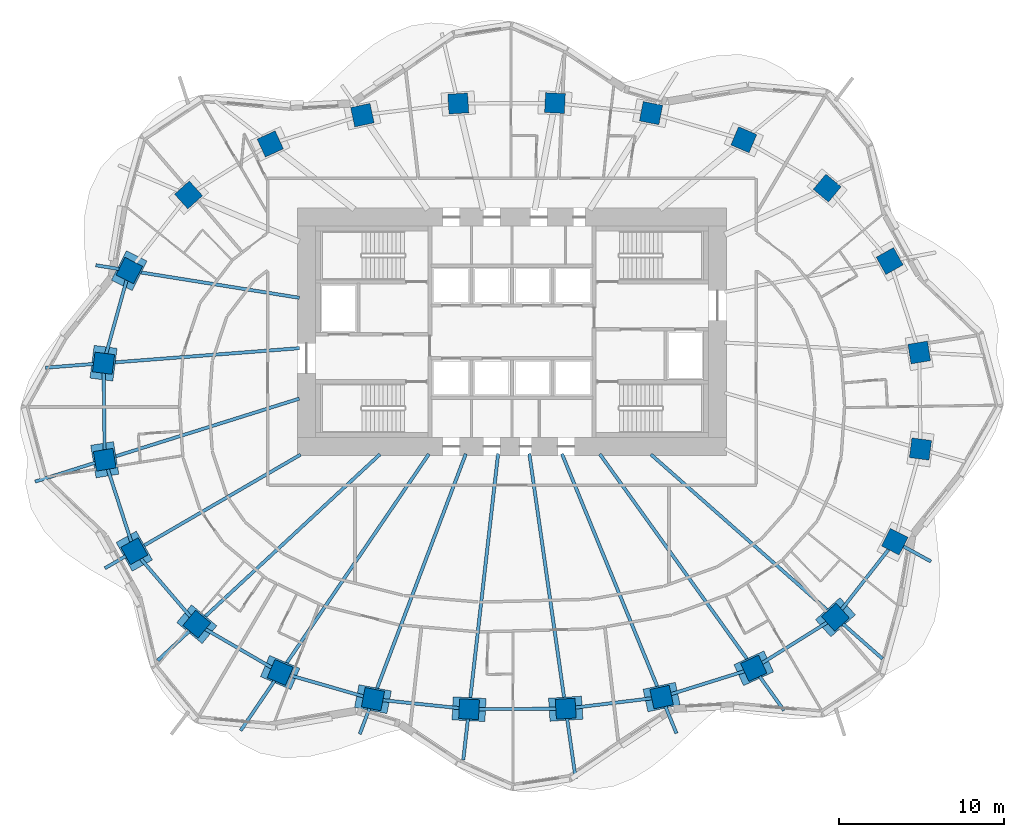
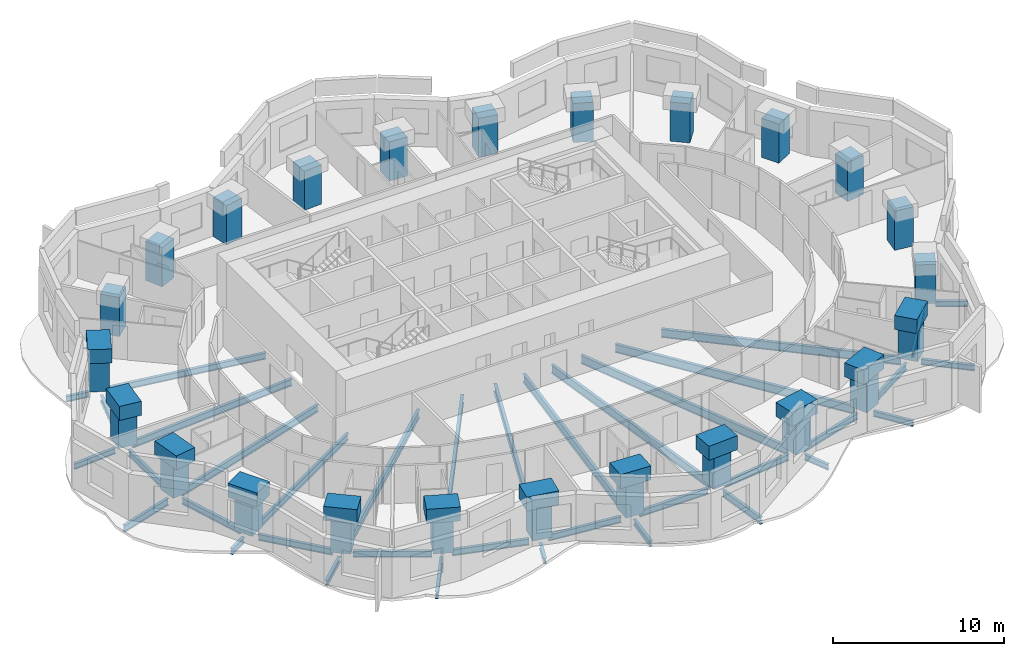
# One storey, part 1 of 12: 49 beams, 24 columns.
"""IFC4 building model written with IfcOpenShell, lengths in metres."""

from ifc_helpers import new_model, si_unit, direction, frame, origin, origin_2d, place, context, subcontext, project, spatial, rectangle, i_section, extrude, material, material_profile, profile_set, type_object, element, save


model = new_model("IFC4")

# Units and contexts
model_context = context("Model", 3, precision=1e-05, world=origin(), true_north=direction((0.0, 1.0)))
body_context = subcontext(model_context, "Body", "Model", "MODEL_VIEW")
ifc_project = project(units=[si_unit("LENGTHUNIT", "METRE"), si_unit("AREAUNIT", "SQUARE_METRE"), si_unit("VOLUMEUNIT", "CUBIC_METRE"), si_unit("PLANEANGLEUNIT", "RADIAN"), si_unit("MASSUNIT", "GRAM", prefix="KILO")], contexts=[model_context])

# Site, building, storey
site_placement = place(None, origin())
site = spatial("IfcSite", under=ifc_project, at=site_placement, CompositionType="ELEMENT")
building_placement = place(site_placement, origin())
building = spatial("IfcBuilding", under=site, at=building_placement, Name="Rubra Terraces Tower", CompositionType="ELEMENT")
storey_placement = place(building_placement, frame((0.0, 0.0, 117.60009765625)))
storey = spatial("IfcBuildingStorey", under=building, at=storey_placement, Name="L28", CompositionType="ELEMENT", Elevation=117.60009765625)

# Columns
ifc_material_1 = material(Name="Concrete C60", Category="concrete")
ifc_material_profile_1 = material_profile(ifc_material_1, rectangle(XDim=1.199951171875, YDim=1.199951171875, at=origin_2d()), Name="RC 1200x1200")
ifc_profile_set_1 = profile_set([ifc_material_profile_1], Name="Concrete C60")
column_type = type_object("IfcColumnType", Name="RING COLUMN RC 1200x1200 C60", PredefinedType="COLUMN", material=ifc_profile_set_1)
for number, where, z_axis, x_axis, name in (
    (1, (24.6689453125, 3.248046875, 0.0), (0.0, 0.0, 1.0), (-0.161559167715, 0.986863027642, 0.0), "column-L28-ring-01"),
    (2, (22.87890625, 8.787109375, 0.0), (0.0, 0.0, 1.0), (-0.48852601316, 0.872549330678, 0.0), "column-L28-ring-02"),
    (3, (19.092041015625, 13.208984375, 0.0), (0.0, 0.0, 1.0), (-0.76886986222, 0.63940529789, 0.0), "column-L28-ring-03"),
    (4, (14.0419921875, 16.135986328125, 0.0), (0.0, 0.0, 1.0), (-0.920167856842, 0.391524092789, 0.0), "column-L28-ring-04"),
    (5, (8.422119140625, 17.7490234375, 0.0), (0.0, 0.0, 1.0), (-0.981654668733, 0.19066754143, 0.0), "column-L28-ring-05"),
    (6, (2.60205078125, 18.35791015625, 0.0), (0.0, 0.0, 1.0), (-0.998764256028, 0.049698700995, 0.0), "column-L28-ring-06"),
    (7, (-3.25390625, 18.330078125, 0.0), (0.0, 0.0, 1.0), (-0.998031548759, -0.062713855578, 0.0), "column-L28-ring-07"),
    (8, (-9.06298828125, 17.625, 0.0), (0.0, 0.0, 1.0), (-0.977652674797, -0.210226657352, 0.0), "column-L28-ring-08"),
    (9, (-14.64306640625, 15.881103515625, 0.0), (0.0, 0.0, 1.0), (-0.908778580451, -0.417278673927, 0.0), "column-L28-ring-09"),
    (10, (-19.593017578125, 12.7900390625, 0.0), (0.0, 0.0, 1.0), (-0.744021317198, -0.668155879683, 0.0), "column-L28-ring-10"),
    (11, (-23.18505859375, 8.2099609375, 0.0), (0.0, 0.0, 1.0), (-0.451027931402, -0.892509834733, 0.0), "column-L28-ring-11"),
    (12, (-24.742919921875, 2.59912109375, 0.0), (0.0, 0.0, 1.0), (-0.128443684554, -0.991716804283, 0.0), "column-L28-ring-12"),
    (13, (-24.6689453125, -3.248046875, 0.0), (0.0, 0.0, 1.0), (0.161559167715, -0.986863027642, 0.0), "column-L28-ring-13"),
    (14, (-22.87890625, -8.787109375, 0.0), (0.0, 0.0, 1.0), (0.48852601316, -0.872549330678, 0.0), "column-L28-ring-14"),
    (15, (-19.092041015625, -13.208984375, 0.0), (0.0, 0.0, 1.0), (0.76886986222, -0.63940529789, 0.0), "column-L28-ring-15"),
    (16, (-14.0419921875, -16.135986328125, 0.0), (0.0, 0.0, 1.0), (0.920167856842, -0.391524092789, 0.0), "column-L28-ring-16"),
    (17, (-8.422119140625, -17.7490234375, 0.0), (0.0, 0.0, 1.0), (0.981654668733, -0.19066754143, 0.0), "column-L28-ring-17"),
    (18, (-2.60205078125, -18.35791015625, 0.0), (0.0, 0.0, 1.0), (0.998764256028, -0.049698700995, 0.0), "column-L28-ring-18"),
    (19, (3.25390625, -18.330078125, 0.0), (0.0, 0.0, 1.0), (0.998031548759, 0.062713855578, 0.0), "column-L28-ring-19"),
    (20, (9.06298828125, -17.625, 0.0), (0.0, 0.0, 1.0), (0.977652674797, 0.210226657352, 0.0), "column-L28-ring-20"),
    (21, (14.64306640625, -15.881103515625, 0.0), (0.0, 0.0, 1.0), (0.908778580451, 0.417278673927, 0.0), "column-L28-ring-21"),
    (22, (19.593017578125, -12.7900390625, 0.0), (0.0, 0.0, 1.0), (0.744021317198, 0.668155879683, 0.0), "column-L28-ring-22"),
    (23, (23.18505859375, -8.2099609375, 0.0), (0.0, 0.0, 1.0), (0.451027931402, 0.892509834733, 0.0), "column-L28-ring-23"),
    (24, (24.742919921875, -2.59912109375, 0.0), (0.0, 0.0, 1.0), (0.128443684554, 0.991716804283, 0.0), "column-L28-ring-24"),
):
    element("IfcColumn", number, at=place(storey_placement, frame(where, z_axis=z_axis, x_axis=x_axis)), inside=storey, type_object=column_type, Name=name, PredefinedType="COLUMN", context=body_context, shape_type="SweptSolid", body=[
        extrude(rectangle(XDim=1.199951171875, YDim=1.199951171875, at=origin_2d()), origin(), (0.0, 0.0, 1.0), 2.7998046875),
    ])

# Beams
ifc_material_2 = material(Name="Steel Q355B", Category="steel")
ifc_material_profile_2 = material_profile(ifc_material_2, i_section(OverallWidth=0.199951171875, OverallDepth=0.39990234375, WebThickness=0.008056640625, FlangeThickness=0.012939453125, at=origin_2d()), Name="HN 400x200x8x13")
ifc_profile_set_2 = profile_set([ifc_material_profile_2], Name="Steel Q355B")
beam_type_1 = type_object("IfcBeamType", Name="CANTILEVER BEAM HN 400x200x8x13", PredefinedType="BEAM", material=ifc_profile_set_2)
beam_1_placement = place(storey_placement, frame((-25.35400390625, 2.552001953125, -0.400146484375), z_axis=(-0.997078655681, -0.076381636441, 0.0), x_axis=(0.076381636441, -0.997078655681, 0.0)))
element("IfcBeam", 25, at=beam_1_placement, inside=storey, type_object=beam_type_1, Name="beam-L28-cant-12", PredefinedType="BEAM", context=body_context, shape_type="SweptSolid", body=[
    extrude(i_section(OverallWidth=0.199951171875, OverallDepth=0.39990234375, WebThickness=0.008056640625, FlangeThickness=0.012939453125, at=origin_2d()), origin(), (0.0, 0.0, 1.0), 2.905517578125),
])
beam_2_placement = place(storey_placement, frame((-23.39794921875, -9.087890625, -0.400146484375), z_axis=(-0.864452977258, -0.502713686018, 0.0), x_axis=(0.502713686018, -0.864452977258, 0.0)))
element("IfcBeam", 26, at=beam_2_placement, inside=storey, type_object=beam_type_1, Name="beam-L28-cant-14", PredefinedType="BEAM", context=body_context, shape_type="SweptSolid", body=[
    extrude(i_section(OverallWidth=0.199951171875, OverallDepth=0.39990234375, WebThickness=0.008056640625, FlangeThickness=0.012939453125, at=origin_2d()), origin(), (0.0, 0.0, 1.0), 1.45654296875),
])
beam_3_placement = place(storey_placement, frame((-19.535888671875, -13.6201171875, -0.400146484375), z_axis=(-0.73298930128, -0.680240166566, 0.0), x_axis=(0.680240166566, -0.73298930128, 0.0)))
element("IfcBeam", 27, at=beam_3_placement, inside=storey, type_object=beam_type_1, Name="beam-L28-cant-15", PredefinedType="BEAM", context=body_context, shape_type="SweptSolid", body=[
    extrude(i_section(OverallWidth=0.199951171875, OverallDepth=0.39990234375, WebThickness=0.008056640625, FlangeThickness=0.012939453125, at=origin_2d()), origin(), (0.0, 0.0, 1.0), 2.61962890625),
])
beam_4_placement = place(storey_placement, frame((-8.637939453125, -18.318115234375, -0.400146484375), z_axis=(-0.353710601051, -0.935354911627, 0.0), x_axis=(0.935354911627, -0.353710601051, 0.0)))
element("IfcBeam", 28, at=beam_4_placement, inside=storey, type_object=beam_type_1, Name="beam-L28-cant-17", PredefinedType="BEAM", context=body_context, shape_type="SweptSolid", body=[
    extrude(i_section(OverallWidth=0.199951171875, OverallDepth=0.39990234375, WebThickness=0.008056640625, FlangeThickness=0.012939453125, at=origin_2d()), origin(), (0.0, 0.0, 1.0), 1.65380859375),
])
beam_5_placement = place(storey_placement, frame((-2.669921875, -18.955078125, -0.400146484375), z_axis=(-0.113039698875, -0.993590472216, 0.0), x_axis=(0.993590472216, -0.113039698875, 0.0)))
element("IfcBeam", 29, at=beam_5_placement, inside=storey, type_object=beam_type_1, Name="beam-L28-cant-18", PredefinedType="BEAM", context=body_context, shape_type="SweptSolid", body=[
    extrude(i_section(OverallWidth=0.199951171875, OverallDepth=0.39990234375, WebThickness=0.008056640625, FlangeThickness=0.012939453125, at=origin_2d()), origin(), (0.0, 0.0, 1.0), 2.48583984375),
])
beam_6_placement = place(storey_placement, frame((9.2939453125, -18.18896484375, -0.400146484375), z_axis=(0.378972607009, -0.925407890142, 0.0), x_axis=(0.925407890142, 0.378972607009, 0.0)))
element("IfcBeam", 30, at=beam_6_placement, inside=storey, type_object=beam_type_1, Name="beam-L28-cant-20", PredefinedType="BEAM", context=body_context, shape_type="SweptSolid", body=[
    extrude(i_section(OverallWidth=0.199951171875, OverallDepth=0.39990234375, WebThickness=0.008056640625, FlangeThickness=0.012939453125, at=origin_2d()), origin(), (0.0, 0.0, 1.0), 1.7626953125),
])
beam_7_placement = place(storey_placement, frame((15.0, -16.376953125, -0.400146484375), z_axis=(0.583203525361, -0.812326072465, 0.0), x_axis=(0.812326072465, 0.583203525361, 0.0)))
element("IfcBeam", 31, at=beam_7_placement, inside=storey, type_object=beam_type_1, Name="beam-L28-cant-21", PredefinedType="BEAM", context=body_context, shape_type="SweptSolid", body=[
    extrude(i_section(OverallWidth=0.199951171875, OverallDepth=0.39990234375, WebThickness=0.008056640625, FlangeThickness=0.012939453125, at=origin_2d()), origin(), (0.0, 0.0, 1.0), 2.535888671875),
])
beam_8_placement = place(storey_placement, frame((20.0458984375, -13.18994140625, -0.400146484375), z_axis=(0.749889181916, -0.661563462447, 0.0), x_axis=(0.661563462447, 0.749889181916, 0.0)))
element("IfcBeam", 32, at=beam_8_placement, inside=storey, type_object=beam_type_1, Name="beam-L28-cant-22", PredefinedType="BEAM", context=body_context, shape_type="SweptSolid", body=[
    extrude(i_section(OverallWidth=0.199951171875, OverallDepth=0.39990234375, WebThickness=0.008056640625, FlangeThickness=0.012939453125, at=origin_2d()), origin(), (0.0, 0.0, 1.0), 3.192626953125),
])
beam_9_placement = place(storey_placement, frame((23.7109375, -8.4990234375, -0.400146484375), z_axis=(0.877201976588, -0.480121539061, 0.0), x_axis=(0.480121539061, 0.877201976588, 0.0)))
element("IfcBeam", 33, at=beam_9_placement, inside=storey, type_object=beam_type_1, Name="beam-L28-cant-23", PredefinedType="BEAM", context=body_context, shape_type="SweptSolid", body=[
    extrude(i_section(OverallWidth=0.199951171875, OverallDepth=0.39990234375, WebThickness=0.008056640625, FlangeThickness=0.012939453125, at=origin_2d()), origin(), (0.0, 0.0, 1.0), 1.899169921875),
])
ifc_material_profile_3 = material_profile(ifc_material_2, i_section(OverallWidth=0.198974609375, OverallDepth=0.49609375, WebThickness=0.009033203125, FlangeThickness=0.013916015625, at=origin_2d()), Name="HN 496x199x9x14")
ifc_profile_set_3 = profile_set([ifc_material_profile_3], Name="Steel Q355B")
beam_type_2 = type_object("IfcBeamType", Name="CANTILEVER BEAM HN 496x199x9x14", PredefinedType="BEAM", material=ifc_profile_set_3)
beam_10_placement = place(storey_placement, frame((-25.2470703125, -3.429931640625, -0.447998046875), z_axis=(-0.95408838008, -0.299525229314, 0.0), x_axis=(0.299525229314, -0.95408838008, 0.0)))
element("IfcBeam", 34, at=beam_10_placement, inside=storey, type_object=beam_type_2, Name="beam-L28-cant-13", PredefinedType="BEAM", context=body_context, shape_type="SweptSolid", body=[
    extrude(i_section(OverallWidth=0.198974609375, OverallDepth=0.49609375, WebThickness=0.009033203125, FlangeThickness=0.013916015625, at=origin_2d()), origin(), (0.0, 0.0, 1.0), 3.81298828125),
])
beam_11_placement = place(storey_placement, frame((-14.385986328125, -16.64208984375, -0.447998046875), z_axis=(-0.562603065228, -0.826727156319, 0.0), x_axis=(0.826727156319, -0.562603065228, 0.0)))
element("IfcBeam", 35, at=beam_11_placement, inside=storey, type_object=beam_type_2, Name="beam-L28-cant-16", PredefinedType="BEAM", context=body_context, shape_type="SweptSolid", body=[
    extrude(i_section(OverallWidth=0.198974609375, OverallDepth=0.49609375, WebThickness=0.009033203125, FlangeThickness=0.013916015625, at=origin_2d()), origin(), (0.0, 0.0, 1.0), 3.6455078125),
])
beam_12_placement = place(storey_placement, frame((3.339111328125, -18.926025390625, -0.447998046875), z_axis=(0.140964554765, -0.990014643478, 0.0), x_axis=(0.990014643478, 0.140964554765, 0.0)))
element("IfcBeam", 36, at=beam_12_placement, inside=storey, type_object=beam_type_2, Name="beam-L28-cant-19", PredefinedType="BEAM", context=body_context, shape_type="SweptSolid", body=[
    extrude(i_section(OverallWidth=0.198974609375, OverallDepth=0.49609375, WebThickness=0.009033203125, FlangeThickness=0.013916015625, at=origin_2d()), origin(), (0.0, 0.0, 1.0), 3.66650390625),
])
ifc_material_profile_4 = material_profile(ifc_material_2, i_section(OverallWidth=0.199951171875, OverallDepth=0.39990234375, WebThickness=0.008056640625, FlangeThickness=0.012939453125, at=origin_2d()), Name="HN 400x200x8x13")
ifc_profile_set_4 = profile_set([ifc_material_profile_4], Name="Steel Q355B")
beam_type_3 = type_object("IfcBeamType", Name="CANTILEVER STUB HN 400x200x8x13", PredefinedType="BEAM", material=ifc_profile_set_4)
beam_13_placement = place(storey_placement, frame((-23.806884765625, 8.31005859375, -0.400146484375), z_axis=(-0.987508094241, 0.157568283003, 0.0), x_axis=(-0.157568283003, -0.987508094241, 0.0)))
element("IfcBeam", 37, at=beam_13_placement, inside=storey, type_object=beam_type_3, Name="beam-L28-cant-11", PredefinedType="BEAM", context=body_context, shape_type="SweptSolid", body=[
    extrude(i_section(OverallWidth=0.199951171875, OverallDepth=0.39990234375, WebThickness=0.008056640625, FlangeThickness=0.012939453125, at=origin_2d()), origin(), (0.0, 0.0, 1.0), 1.4208984375),
])
ifc_material_profile_5 = material_profile(ifc_material_2, i_section(OverallWidth=0.198974609375, OverallDepth=0.446044921875, WebThickness=0.008056640625, FlangeThickness=0.011962890625, at=origin_2d()), Name="HN 446x199x8x12")
ifc_profile_set_5 = profile_set([ifc_material_profile_5], Name="Steel Q355B")
beam_type_4 = type_object("IfcBeamType", Name="FLOOR BEAM HN 446x199x8x12", PredefinedType="BEAM", material=ifc_profile_set_5)
beam_14_placement = place(storey_placement, frame((-22.56298828125, 8.110107421875, -0.423095703125), z_axis=(0.987438611706, -0.158003126908, 0.0), x_axis=(0.158003126908, 0.987438611706, 0.0)))
element("IfcBeam", 38, at=beam_14_placement, inside=storey, type_object=beam_type_4, Name="beam-L28-floor-11", PredefinedType="BEAM", context=body_context, shape_type="SweptSolid", body=[
    extrude(i_section(OverallWidth=0.198974609375, OverallDepth=0.446044921875, WebThickness=0.008056640625, FlangeThickness=0.011962890625, at=origin_2d()), origin(), (0.0, 0.0, 1.0), 9.803955078125),
])
ifc_material_profile_6 = material_profile(ifc_material_2, i_section(OverallWidth=0.198974609375, OverallDepth=0.49609375, WebThickness=0.009033203125, FlangeThickness=0.013916015625, at=origin_2d()), Name="HN 496x199x9x14")
ifc_profile_set_6 = profile_set([ifc_material_profile_6], Name="Steel Q355B")
beam_type_5 = type_object("IfcBeamType", Name="FLOOR BEAM HN 496x199x9x14", PredefinedType="BEAM", material=ifc_profile_set_6)
beam_15_placement = place(storey_placement, frame((-24.132080078125, 2.64599609375, -0.447998046875), z_axis=(0.99706491124, 0.076560843604, 0.0), x_axis=(-0.076560843604, 0.99706491124, 0.0)))
element("IfcBeam", 39, at=beam_15_placement, inside=storey, type_object=beam_type_5, Name="beam-L28-floor-12", PredefinedType="BEAM", context=body_context, shape_type="SweptSolid", body=[
    extrude(i_section(OverallWidth=0.198974609375, OverallDepth=0.49609375, WebThickness=0.009033203125, FlangeThickness=0.013916015625, at=origin_2d()), origin(), (0.0, 0.0, 1.0), 11.285400390625),
])
beam_16_placement = place(storey_placement, frame((-24.091064453125, -3.06591796875, -0.447998046875), z_axis=(0.954061815263, 0.299609834046, 0.0), x_axis=(-0.299609834046, 0.954061815263, 0.0)))
element("IfcBeam", 40, at=beam_16_placement, inside=storey, type_object=beam_type_5, Name="beam-L28-floor-13", PredefinedType="BEAM", context=body_context, shape_type="SweptSolid", body=[
    extrude(i_section(OverallWidth=0.198974609375, OverallDepth=0.49609375, WebThickness=0.009033203125, FlangeThickness=0.013916015625, at=origin_2d()), origin(), (0.0, 0.0, 1.0), 11.74462890625),
])
beam_17_placement = place(storey_placement, frame((-22.360107421875, -8.486083984375, -0.447998046875), z_axis=(0.864729170152, 0.502238451623, 0.0), x_axis=(-0.502238451623, 0.864729170152, 0.0)))
element("IfcBeam", 41, at=beam_17_placement, inside=storey, type_object=beam_type_5, Name="beam-L28-floor-14", PredefinedType="BEAM", context=body_context, shape_type="SweptSolid", body=[
    extrude(i_section(OverallWidth=0.198974609375, OverallDepth=0.49609375, WebThickness=0.009033203125, FlangeThickness=0.013916015625, at=origin_2d()), origin(), (0.0, 0.0, 1.0), 11.04296875),
])
ifc_material_profile_7 = material_profile(ifc_material_2, i_section(OverallWidth=0.198974609375, OverallDepth=0.595947265625, WebThickness=0.010009765625, FlangeThickness=0.014892578125, at=origin_2d()), Name="HN 596x199x10x15")
ifc_profile_set_7 = profile_set([ifc_material_profile_7], Name="Steel Q355B")
beam_type_6 = type_object("IfcBeamType", Name="FLOOR BEAM HN 596x199x10x15", PredefinedType="BEAM", material=ifc_profile_set_7)
beam_18_placement = place(storey_placement, frame((-18.64794921875, -12.798095703125, -0.498046875), z_axis=(0.733104668463, 0.680115832104, 0.0), x_axis=(-0.680115832104, 0.733104668463, 0.0)))
element("IfcBeam", 42, at=beam_18_placement, inside=storey, type_object=beam_type_6, Name="beam-L28-floor-15", PredefinedType="BEAM", context=body_context, shape_type="SweptSolid", body=[
    extrude(i_section(OverallWidth=0.198974609375, OverallDepth=0.595947265625, WebThickness=0.010009765625, FlangeThickness=0.014892578125, at=origin_2d()), origin(), (0.0, 0.0, 1.0), 14.527099609375),
])
beam_19_placement = place(storey_placement, frame((-13.697998046875, -15.6298828125, -0.498046875), z_axis=(0.562593638313, 0.82673357143, 0.0), x_axis=(-0.82673357143, 0.562593638313, 0.0)))
element("IfcBeam", 43, at=beam_19_placement, inside=storey, type_object=beam_type_6, Name="beam-L28-floor-16", PredefinedType="BEAM", context=body_context, shape_type="SweptSolid", body=[
    extrude(i_section(OverallWidth=0.198974609375, OverallDepth=0.595947265625, WebThickness=0.010009765625, FlangeThickness=0.014892578125, at=origin_2d()), origin(), (0.0, 0.0, 1.0), 15.396728515625),
])
beam_20_placement = place(storey_placement, frame((-8.2060546875, -17.179931640625, -0.498046875), z_axis=(0.35395819717, 0.935261244068, 0.0), x_axis=(-0.935261244068, 0.35395819717, 0.0)))
element("IfcBeam", 44, at=beam_20_placement, inside=storey, type_object=beam_type_6, Name="beam-L28-floor-17", PredefinedType="BEAM", context=body_context, shape_type="SweptSolid", body=[
    extrude(i_section(OverallWidth=0.198974609375, OverallDepth=0.595947265625, WebThickness=0.010009765625, FlangeThickness=0.014892578125, at=origin_2d()), origin(), (0.0, 0.0, 1.0), 15.28125),
])
beam_21_placement = place(storey_placement, frame((-2.533935546875, -17.760986328125, -0.498046875), z_axis=(0.113104280783, 0.993583122677, 0.0), x_axis=(-0.993583122677, 0.113104280783, 0.0)))
element("IfcBeam", 45, at=beam_21_placement, inside=storey, type_object=beam_type_6, Name="beam-L28-floor-18", PredefinedType="BEAM", context=body_context, shape_type="SweptSolid", body=[
    extrude(i_section(OverallWidth=0.198974609375, OverallDepth=0.595947265625, WebThickness=0.010009765625, FlangeThickness=0.014892578125, at=origin_2d()), origin(), (0.0, 0.0, 1.0), 14.97607421875),
])
beam_22_placement = place(storey_placement, frame((3.1689453125, -17.73388671875, -0.498046875), z_axis=(-0.141102399867, 0.989995006428, 0.0), x_axis=(-0.989995006428, -0.141102399867, 0.0)))
element("IfcBeam", 46, at=beam_22_placement, inside=storey, type_object=beam_type_6, Name="beam-L28-floor-19", PredefinedType="BEAM", context=body_context, shape_type="SweptSolid", body=[
    extrude(i_section(OverallWidth=0.198974609375, OverallDepth=0.595947265625, WebThickness=0.010009765625, FlangeThickness=0.014892578125, at=origin_2d()), origin(), (0.0, 0.0, 1.0), 15.0029296875),
])
beam_23_placement = place(storey_placement, frame((8.83203125, -17.06103515625, -0.498046875), z_axis=(-0.379038143634, 0.925381048904, 0.0), x_axis=(-0.925381048904, -0.379038143634, 0.0)))
element("IfcBeam", 47, at=beam_23_placement, inside=storey, type_object=beam_type_6, Name="beam-L28-floor-20", PredefinedType="BEAM", context=body_context, shape_type="SweptSolid", body=[
    extrude(i_section(OverallWidth=0.198974609375, OverallDepth=0.595947265625, WebThickness=0.010009765625, FlangeThickness=0.014892578125, at=origin_2d()), origin(), (0.0, 0.0, 1.0), 15.31494140625),
])
beam_24_placement = place(storey_placement, frame((14.285888671875, -15.385009765625, -0.498046875), z_axis=(-0.583480892091, 0.812126867284, 0.0), x_axis=(-0.812126867284, -0.583480892091, 0.0)))
element("IfcBeam", 48, at=beam_24_placement, inside=storey, type_object=beam_type_6, Name="beam-L28-floor-21", PredefinedType="BEAM", context=body_context, shape_type="SweptSolid", body=[
    extrude(i_section(OverallWidth=0.198974609375, OverallDepth=0.595947265625, WebThickness=0.010009765625, FlangeThickness=0.014892578125, at=origin_2d()), origin(), (0.0, 0.0, 1.0), 15.369384765625),
])
beam_25_placement = place(storey_placement, frame((19.139892578125, -12.389892578125, -0.498046875), z_axis=(-0.749820430817, 0.661641384384, 0.0), x_axis=(-0.661641384384, -0.749820430817, 0.0)))
element("IfcBeam", 49, at=beam_25_placement, inside=storey, type_object=beam_type_6, Name="beam-L28-floor-22", PredefinedType="BEAM", context=body_context, shape_type="SweptSolid", body=[
    extrude(i_section(OverallWidth=0.198974609375, OverallDepth=0.595947265625, WebThickness=0.010009765625, FlangeThickness=0.014892578125, at=origin_2d()), origin(), (0.0, 0.0, 1.0), 14.311279296875),
])
ifc_material_profile_8 = material_profile(ifc_material_2, i_section(OverallWidth=0.198974609375, OverallDepth=0.446044921875, WebThickness=0.008056640625, FlangeThickness=0.011962890625, at=origin_2d()), Name="HN 446x199x8x12")
ifc_profile_set_8 = profile_set([ifc_material_profile_8], Name="Steel Q355B")
beam_type_7 = type_object("IfcBeamType", Name="SPANDREL BEAM HN 446x199x8x12", PredefinedType="SPANDREL", material=ifc_profile_set_8)
beam_26_placement = place(storey_placement, frame((-23.34912109375, 7.6201171875, -0.423095703125), z_axis=(-0.26752901479, -0.963549804756, 0.0), x_axis=(0.963549804756, -0.26752901479, 0.0)))
element("IfcBeam", 50, at=beam_26_placement, inside=storey, type_object=beam_type_7, Name="beam-L28-spandrel-11", PredefinedType="SPANDREL", context=body_context, shape_type="SweptSolid", body=[
    extrude(i_section(OverallWidth=0.198974609375, OverallDepth=0.446044921875, WebThickness=0.008056640625, FlangeThickness=0.011962890625, at=origin_2d()), origin(), (0.0, 0.0, 1.0), 4.60498046875),
])
beam_27_placement = place(storey_placement, frame((-24.735107421875, 1.992919921875, -0.423095703125), z_axis=(0.012537869063, -0.999921397831, 0.0), x_axis=(0.999921397831, 0.012537869063, 0.0)))
element("IfcBeam", 51, at=beam_27_placement, inside=storey, type_object=beam_type_7, Name="beam-L28-spandrel-12", PredefinedType="SPANDREL", context=body_context, shape_type="SweptSolid", body=[
    extrude(i_section(OverallWidth=0.198974609375, OverallDepth=0.446044921875, WebThickness=0.008056640625, FlangeThickness=0.011962890625, at=origin_2d()), origin(), (0.0, 0.0, 1.0), 4.63427734375),
])
beam_28_placement = place(storey_placement, frame((-24.48193359375, -3.824951171875, -0.423095703125), z_axis=(0.307414966872, -0.951575555667, 0.0), x_axis=(0.951575555667, 0.307414966872, 0.0)))
element("IfcBeam", 52, at=beam_28_placement, inside=storey, type_object=beam_type_7, Name="beam-L28-spandrel-13", PredefinedType="SPANDREL", context=body_context, shape_type="SweptSolid", body=[
    extrude(i_section(OverallWidth=0.198974609375, OverallDepth=0.446044921875, WebThickness=0.008056640625, FlangeThickness=0.011962890625, at=origin_2d()), origin(), (0.0, 0.0, 1.0), 4.60302734375),
])
beam_29_placement = place(storey_placement, frame((-22.48095703125, -9.251953125, -0.423095703125), z_axis=(0.650428637413, -0.759567368726, 0.0), x_axis=(0.759567368726, 0.650428637413, 0.0)))
element("IfcBeam", 53, at=beam_29_placement, inside=storey, type_object=beam_type_7, Name="beam-L28-spandrel-14", PredefinedType="SPANDREL", context=body_context, shape_type="SweptSolid", body=[
    extrude(i_section(OverallWidth=0.198974609375, OverallDepth=0.446044921875, WebThickness=0.008056640625, FlangeThickness=0.011962890625, at=origin_2d()), origin(), (0.0, 0.0, 1.0), 4.6015625),
])
beam_30_placement = place(storey_placement, frame((-18.56494140625, -13.513916015625, -0.423095703125), z_axis=(0.865116425734, -0.501571101565, 0.0), x_axis=(0.501571101565, 0.865116425734, 0.0)))
element("IfcBeam", 54, at=beam_30_placement, inside=storey, type_object=beam_type_7, Name="beam-L28-spandrel-15", PredefinedType="SPANDREL", context=body_context, shape_type="SweptSolid", body=[
    extrude(i_section(OverallWidth=0.198974609375, OverallDepth=0.446044921875, WebThickness=0.008056640625, FlangeThickness=0.011962890625, at=origin_2d()), origin(), (0.0, 0.0, 1.0), 4.62353515625),
])
beam_31_placement = place(storey_placement, frame((-13.4609375, -16.302978515625, -0.423095703125), z_axis=(0.961195652649, -0.275867572085, 0.0), x_axis=(0.275867572085, 0.961195652649, 0.0)))
element("IfcBeam", 55, at=beam_31_placement, inside=storey, type_object=beam_type_7, Name="beam-L28-spandrel-16", PredefinedType="SPANDREL", context=body_context, shape_type="SweptSolid", body=[
    extrude(i_section(OverallWidth=0.198974609375, OverallDepth=0.446044921875, WebThickness=0.008056640625, FlangeThickness=0.011962890625, at=origin_2d()), origin(), (0.0, 0.0, 1.0), 4.639892578125),
])
beam_32_placement = place(storey_placement, frame((-7.822998046875, -17.81201171875, -0.423095703125), z_axis=(0.994588599148, -0.103891859374, 0.0), x_axis=(0.103891859374, 0.994588599148, 0.0)))
element("IfcBeam", 56, at=beam_32_placement, inside=storey, type_object=beam_type_7, Name="beam-L28-spandrel-17", PredefinedType="SPANDREL", context=body_context, shape_type="SweptSolid", body=[
    extrude(i_section(OverallWidth=0.198974609375, OverallDepth=0.446044921875, WebThickness=0.008056640625, FlangeThickness=0.011962890625, at=origin_2d()), origin(), (0.0, 0.0, 1.0), 4.648193359375),
])
beam_33_placement = place(storey_placement, frame((-2.0009765625, -18.35498046875, -0.423095703125), z_axis=(0.99998885538, 0.004721135025, 0.0), x_axis=(-0.004721135025, 0.99998885538, 0.0)))
element("IfcBeam", 57, at=beam_33_placement, inside=storey, type_object=beam_type_7, Name="beam-L28-spandrel-18", PredefinedType="SPANDREL", context=body_context, shape_type="SweptSolid", body=[
    extrude(i_section(OverallWidth=0.198974609375, OverallDepth=0.446044921875, WebThickness=0.008056640625, FlangeThickness=0.011962890625, at=origin_2d()), origin(), (0.0, 0.0, 1.0), 4.654052734375),
])
beam_34_placement = place(storey_placement, frame((3.85107421875, -18.258056640625, -0.423095703125), z_axis=(0.992713612833, 0.120497646851, 0.0), x_axis=(-0.120497646851, 0.992713612833, 0.0)))
element("IfcBeam", 58, at=beam_34_placement, inside=storey, type_object=beam_type_7, Name="beam-L28-spandrel-19", PredefinedType="SPANDREL", context=body_context, shape_type="SweptSolid", body=[
    extrude(i_section(OverallWidth=0.198974609375, OverallDepth=0.446044921875, WebThickness=0.008056640625, FlangeThickness=0.011962890625, at=origin_2d()), origin(), (0.0, 0.0, 1.0), 4.64794921875),
])
beam_35_placement = place(storey_placement, frame((9.637939453125, -17.445068359375, -0.423095703125), z_axis=(0.954462184919, 0.298331925142, 0.0), x_axis=(-0.298331925142, 0.954462184919, 0.0)))
element("IfcBeam", 59, at=beam_35_placement, inside=storey, type_object=beam_type_7, Name="beam-L28-spandrel-20", PredefinedType="SPANDREL", context=body_context, shape_type="SweptSolid", body=[
    extrude(i_section(OverallWidth=0.198974609375, OverallDepth=0.446044921875, WebThickness=0.008056640625, FlangeThickness=0.011962890625, at=origin_2d()), origin(), (0.0, 0.0, 1.0), 4.63916015625),
])
beam_36_placement = place(storey_placement, frame((15.156005859375, -15.56103515625, -0.423095703125), z_axis=(0.848188188849, 0.529695003089, 0.0), x_axis=(-0.529695003089, 0.848188188849, 0.0)))
element("IfcBeam", 60, at=beam_36_placement, inside=storey, type_object=beam_type_7, Name="beam-L28-spandrel-21", PredefinedType="SPANDREL", context=body_context, shape_type="SweptSolid", body=[
    extrude(i_section(OverallWidth=0.198974609375, OverallDepth=0.446044921875, WebThickness=0.008056640625, FlangeThickness=0.011962890625, at=origin_2d()), origin(), (0.0, 0.0, 1.0), 4.62158203125),
])
beam_37_placement = place(storey_placement, frame((19.968994140625, -12.31103515625, -0.423095703125), z_axis=(0.61694919408, 0.787002980886, 0.0), x_axis=(-0.787002980886, 0.61694919408, 0.0)))
element("IfcBeam", 61, at=beam_37_placement, inside=storey, type_object=beam_type_7, Name="beam-L28-spandrel-22", PredefinedType="SPANDREL", context=body_context, shape_type="SweptSolid", body=[
    extrude(i_section(OverallWidth=0.198974609375, OverallDepth=0.446044921875, WebThickness=0.008056640625, FlangeThickness=0.011962890625, at=origin_2d()), origin(), (0.0, 0.0, 1.0), 4.599853515625),
])
ifc_material_profile_9 = material_profile(ifc_material_1, rectangle(XDim=1.39990234375, YDim=1.0, at=origin_2d()), Name="RC 1400x1000")
ifc_profile_set_9 = profile_set([ifc_material_profile_9], Name="Concrete C60")
beam_type_8 = type_object("IfcBeamType", Name="TRANSFER NODE RC 1400x1000 C60", PredefinedType="BEAM", material=ifc_profile_set_9)
beam_38_placement = place(storey_placement, frame((-22.73388671875, 9.10302734375, 2.7998046875), z_axis=(-0.450821401525, -0.892614174169, 0.0), x_axis=(0.892614174169, -0.450821401525, 0.0)))
element("IfcBeam", 62, at=beam_38_placement, inside=storey, type_object=beam_type_8, Name="node-L29-lo-11", PredefinedType="BEAM", context=body_context, shape_type="SweptSolid", body=[
    extrude(rectangle(XDim=1.39990234375, YDim=1.0, at=origin_2d()), origin(), (0.0, 0.0, 1.0), 2.0009765625),
])
for number, where, z_axis, x_axis, name in (
    (63, (-24.614990234375, 3.591064453125, 2.7998046875), (-0.128013930839, -0.991772369806, 0.0), (0.991772369806, -0.128013930839, 0.0), "node-L29-lo-12"),
    (64, (-24.8310546875, -2.260986328125, 2.7998046875), (0.161944523779, -0.986799863811, 0.0), (0.986799863811, 0.161944523779, 0.0), "node-L29-lo-13"),
):
    element("IfcBeam", number, at=place(storey_placement, frame(where, z_axis=z_axis, x_axis=x_axis)), inside=storey, type_object=beam_type_8, Name=name, PredefinedType="BEAM", context=body_context, shape_type="SweptSolid", body=[
        extrude(rectangle(XDim=1.39990234375, YDim=1.0, at=origin_2d()), origin(), (0.0, 0.0, 1.0), 2.00048828125),
    ])
beam_39_placement = place(storey_placement, frame((-23.367919921875, -7.9140625, 2.7998046875), z_axis=(0.488737103931, -0.872431110886, 0.0), x_axis=(0.872431110886, 0.488737103931, 0.0)))
element("IfcBeam", 65, at=beam_39_placement, inside=storey, type_object=beam_type_8, Name="node-L29-lo-14", PredefinedType="BEAM", context=body_context, shape_type="SweptSolid", body=[
    extrude(rectangle(XDim=1.39990234375, YDim=1.0, at=origin_2d()), origin(), (0.0, 0.0, 1.0), 2.001220703125),
])
beam_40_placement = place(storey_placement, frame((-19.861083984375, -12.570068359375, 2.7998046875), z_axis=(0.769181140398, -0.639030807752, 0.0), x_axis=(0.639030807752, 0.769181140398, 0.0)))
element("IfcBeam", 66, at=beam_40_placement, inside=storey, type_object=beam_type_8, Name="node-L29-lo-15", PredefinedType="BEAM", context=body_context, shape_type="SweptSolid", body=[
    extrude(rectangle(XDim=1.39990234375, YDim=1.0, at=origin_2d()), origin(), (0.0, 0.0, 1.0), 1.999755859375),
])
beam_41_placement = place(storey_placement, frame((-14.9619140625, -15.743896484375, 2.7998046875), z_axis=(0.919926151896, -0.392091666652, 0.0), x_axis=(0.392091666652, 0.919926151896, 0.0)))
element("IfcBeam", 67, at=beam_41_placement, inside=storey, type_object=beam_type_8, Name="node-L29-lo-16", PredefinedType="BEAM", context=body_context, shape_type="SweptSolid", body=[
    extrude(rectangle(XDim=1.39990234375, YDim=1.0, at=origin_2d()), origin(), (0.0, 0.0, 1.0), 2.0),
])
beam_42_placement = place(storey_placement, frame((-9.404052734375, -17.55810546875, 2.7998046875), z_axis=(0.98162237434, -0.190833734427, 0.0), x_axis=(0.190833734427, 0.98162237434, 0.0)))
element("IfcBeam", 68, at=beam_42_placement, inside=storey, type_object=beam_type_8, Name="node-L29-lo-17", PredefinedType="BEAM", context=body_context, shape_type="SweptSolid", body=[
    extrude(rectangle(XDim=1.39990234375, YDim=1.0, at=origin_2d()), origin(), (0.0, 0.0, 1.0), 2.0009765625),
])
beam_43_placement = place(storey_placement, frame((-3.60107421875, -18.30810546875, 2.7998046875), z_axis=(0.998753555911, -0.049913270328, 0.0), x_axis=(0.049913270328, 0.998753555911, 0.0)))
element("IfcBeam", 69, at=beam_43_placement, inside=storey, type_object=beam_type_8, Name="node-L29-lo-18", PredefinedType="BEAM", context=body_context, shape_type="SweptSolid", body=[
    extrude(rectangle(XDim=1.39990234375, YDim=1.0, at=origin_2d()), origin(), (0.0, 0.0, 1.0), 2.00048828125),
])
beam_44_placement = place(storey_placement, frame((2.256103515625, -18.39306640625, 2.7998046875), z_axis=(0.998013911654, 0.062993905616, 0.0), x_axis=(-0.062993905616, 0.998013911654, 0.0)))
element("IfcBeam", 70, at=beam_44_placement, inside=storey, type_object=beam_type_8, Name="node-L29-lo-19", PredefinedType="BEAM", context=body_context, shape_type="SweptSolid", body=[
    extrude(rectangle(XDim=1.39990234375, YDim=1.0, at=origin_2d()), origin(), (0.0, 0.0, 1.0), 1.999755859375),
])
beam_45_placement = place(storey_placement, frame((8.0849609375, -17.8349609375, 2.7998046875), z_axis=(0.977723768345, 0.209895766544, 0.0), x_axis=(-0.209895766544, 0.977723768345, 0.0)))
element("IfcBeam", 71, at=beam_45_placement, inside=storey, type_object=beam_type_8, Name="node-L29-lo-20", PredefinedType="BEAM", context=body_context, shape_type="SweptSolid", body=[
    extrude(rectangle(XDim=1.39990234375, YDim=1.0, at=origin_2d()), origin(), (0.0, 0.0, 1.0), 2.000732421875),
])
beam_46_placement = place(storey_placement, frame((13.73388671875, -16.298095703125, 2.7998046875), z_axis=(0.90893572081, 0.416936272631, 0.0), x_axis=(-0.416936272631, 0.90893572081, 0.0)))
element("IfcBeam", 72, at=beam_46_placement, inside=storey, type_object=beam_type_8, Name="node-L29-lo-21", PredefinedType="BEAM", context=body_context, shape_type="SweptSolid", body=[
    extrude(rectangle(XDim=1.39990234375, YDim=1.0, at=origin_2d()), origin(), (0.0, 0.0, 1.0), 2.000244140625),
])
beam_47_placement = place(storey_placement, frame((18.84912109375, -13.4580078125, 2.7998046875), z_axis=(0.744058621089, 0.668114337807, 0.0), x_axis=(-0.668114337807, 0.744058621089, 0.0)))
element("IfcBeam", 73, at=beam_47_placement, inside=storey, type_object=beam_type_8, Name="node-L29-lo-22", PredefinedType="BEAM", context=body_context, shape_type="SweptSolid", body=[
    extrude(rectangle(XDim=1.39990234375, YDim=1.0, at=origin_2d()), origin(), (0.0, 0.0, 1.0), 1.99951171875),
])

save(model, "model.ifc")
